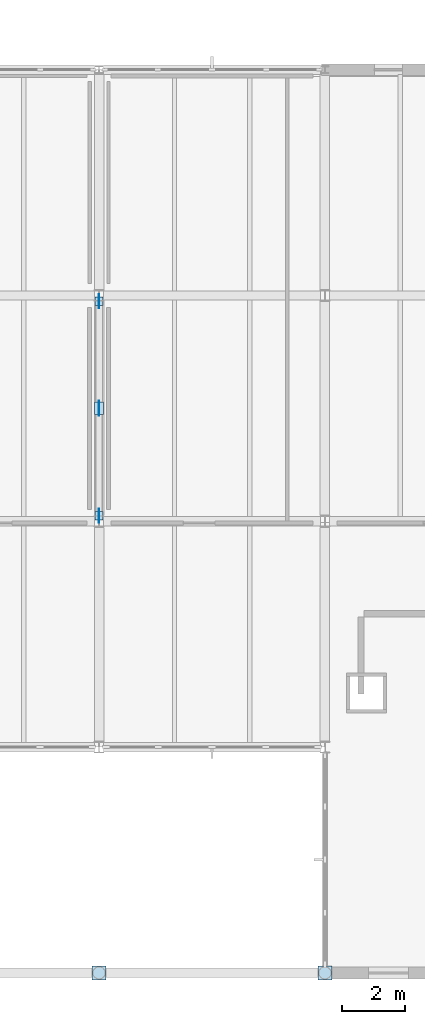
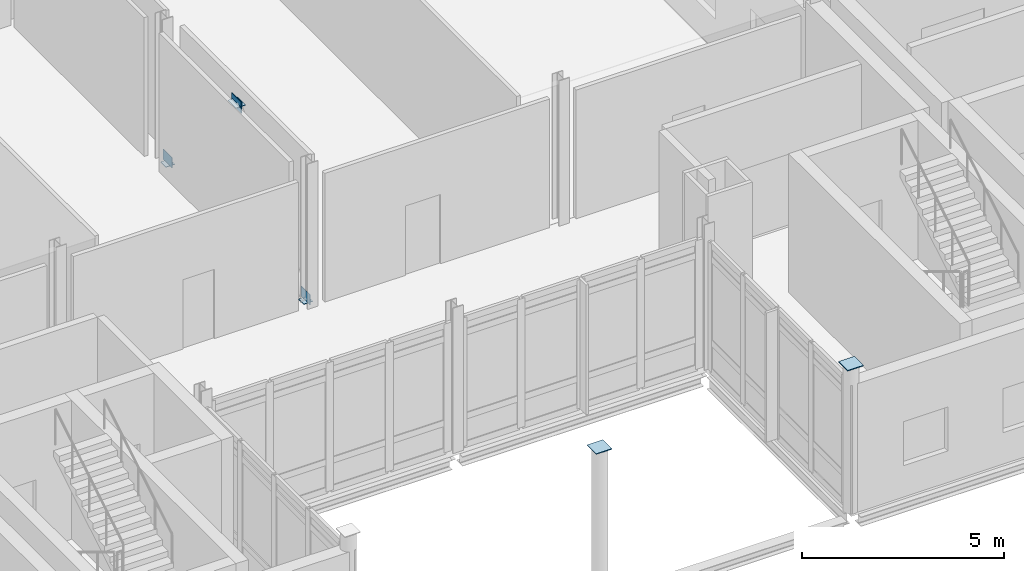
# One storey, part 42 of 72: 8 plates.
"""IFC4 building model written with IfcOpenShell, lengths in metres."""

from ifc_helpers import new_model, si_unit, direction, frame, origin, origin_2d, place, context, subcontext, project, spatial, rectangle, extrude, material, layer, layer_set, type_object, element, save


model = new_model("IFC4")

# Units and contexts
model_context = context("Model", 3, precision=1e-05, world=origin(), true_north=direction((0.0, 1.0)))
body_context = subcontext(model_context, "Body", "Model", "MODEL_VIEW")
ifc_project = project(units=[si_unit("LENGTHUNIT", "METRE"), si_unit("AREAUNIT", "SQUARE_METRE"), si_unit("VOLUMEUNIT", "CUBIC_METRE"), si_unit("PLANEANGLEUNIT", "RADIAN"), si_unit("MASSUNIT", "GRAM", prefix="KILO")], contexts=[model_context])

# Site, building, storey
site_placement = place(None, origin())
site = spatial("IfcSite", under=ifc_project, at=site_placement, CompositionType="ELEMENT")
building_placement = place(site_placement, origin())
building = spatial("IfcBuilding", under=site, at=building_placement, Name="Zarrinpeak Specialist Clinic", CompositionType="ELEMENT")
storey_placement = place(building_placement, frame((0.0, 0.0, 9.60009765625)))
storey = spatial("IfcBuildingStorey", under=building, at=storey_placement, Name="L02", CompositionType="ELEMENT", Elevation=9.60009765625)

# Plates
ifc_material = material(Name="Steel S355", Category="steel")
ifc_layer_1 = layer(ifc_material, 0.01611328125)
ifc_layer_set_1 = layer_set([ifc_layer_1], Name="Steel S355")
plate_type_1 = type_object("IfcPlateType", Name="PL-CAP219", PredefinedType="SHEET", material=ifc_layer_set_1)
for number, where, z_axis, x_axis, name in (
    (1, (43.199951171875, 14.580078125, 0.000732421875), (0.0, 0.0, 1.0), (1.0, 0.0, 0.0), "V2 L02 Hollow Brace Foot Cap Plate A"),
    (2, (43.199951171875, 21.419921875, 0.000732421875), (0.0, 0.0, 1.0), (1.0, 0.0, 0.0), "V2 L02 Hollow Brace Foot Cap Plate B"),
):
    element("IfcPlate", number, at=place(storey_placement, frame(where, z_axis=z_axis, x_axis=x_axis)), inside=storey, type_object=plate_type_1, Name=name, PredefinedType="SHEET", context=body_context, shape_type="SweptSolid", body=[
        extrude(rectangle(XDim=0.260009765625, YDim=0.260009765625, at=origin_2d()), origin(), (0.0, 0.0, 1.0), 0.01611328125),
    ])
ifc_layer_2 = layer(ifc_material, 0.02197265625)
ifc_layer_set_2 = layer_set([ifc_layer_2], Name="Steel S355")
plate_type_2 = type_object("IfcPlateType", Name="PL-CAP406", PredefinedType="SHEET", material=ifc_layer_set_2)
for number, where, z_axis, x_axis, name in (
    (3, (43.199951171875, 0.0, 4.39599609375), (0.0, 0.0, 1.0), (1.0, 0.0, 0.0), "L02 Hollow Column Top Cap Plate CCAP-T-095"),
    (4, (50.39990234375, 0.0, 4.39599609375), (0.0, 0.0, 1.0), (1.0, 0.0, 0.0), "L02 Hollow Column Top Cap Plate CCAP-T-096"),
):
    element("IfcPlate", number, at=place(storey_placement, frame(where, z_axis=z_axis, x_axis=x_axis)), inside=storey, type_object=plate_type_2, Name=name, PredefinedType="SHEET", context=body_context, shape_type="SweptSolid", body=[
        extrude(rectangle(XDim=0.449951171875, YDim=0.449951171875, at=origin_2d()), origin(), (0.0, 0.0, 1.0), 0.02197265625),
    ])
ifc_layer_3 = layer(ifc_material, 0.02001953125)
ifc_layer_set_3 = layer_set([ifc_layer_3], Name="Steel S355")
plate_type_3 = type_object("IfcPlateType", Name="PL-GN01", PredefinedType="SHEET", material=ifc_layer_set_3)
plate_1_placement = place(storey_placement, frame((43.199951171875, 18.0, 3.73974609375), z_axis=(0.0, 0.0, 1.0), x_axis=(1.0, 0.0, 0.0)))
element("IfcPlate", 5, at=plate_1_placement, inside=storey, type_object=plate_type_3, Name="V2 L02 Chevron Gusset Node Plate GN-V2-L02", PredefinedType="SHEET", context=body_context, shape_type="SweptSolid", body=[
    extrude(rectangle(XDim=0.02001953125, YDim=0.47998046875, at=origin_2d()), origin(), (0.0, 0.0, 1.0), 0.340087890625),
])
ifc_layer_4 = layer(ifc_material, 0.01611328125)
ifc_layer_set_4 = layer_set([ifc_layer_4], Name="Steel S355")
plate_type_4 = type_object("IfcPlateType", Name="PL-GN02", PredefinedType="SHEET", material=ifc_layer_set_4)
plate_2_placement = place(storey_placement, frame((43.199951171875, 18.0, 3.907958984375), z_axis=(0.0, 0.0, 1.0), x_axis=(1.0, 0.0, 0.0)))
element("IfcPlate", 6, at=plate_2_placement, inside=storey, type_object=plate_type_4, Name="V2 L02 Chevron Apex Seal Plate GNCAP-V2-L02", PredefinedType="SHEET", context=body_context, shape_type="SweptSolid", body=[
    extrude(rectangle(XDim=0.280029296875, YDim=0.39990234375, at=origin_2d()), origin(), (0.0, 0.0, 1.0), 0.01611328125),
])
ifc_layer_5 = layer(ifc_material, 0.01806640625)
ifc_layer_set_5 = layer_set([ifc_layer_5], Name="Steel S355")
plate_type_5 = type_object("IfcPlateType", Name="PL-GN03", PredefinedType="SHEET", material=ifc_layer_set_5)
for number, where, z_axis, x_axis, name in (
    (7, (43.199951171875, 14.580078125, 0.0048828125), (0.0, 0.0, 1.0), (1.0, 0.0, 0.0), "V2 L02 Brace Foot Gusset Plate GNF-V2-L02-A"),
    (8, (43.199951171875, 21.419921875, 0.0048828125), (0.0, 0.0, 1.0), (1.0, 0.0, 0.0), "V2 L02 Brace Foot Gusset Plate GNF-V2-L02-B"),
):
    element("IfcPlate", number, at=place(storey_placement, frame(where, z_axis=z_axis, x_axis=x_axis)), inside=storey, type_object=plate_type_5, Name=name, PredefinedType="SHEET", context=body_context, shape_type="SweptSolid", body=[
        extrude(rectangle(XDim=0.01806640625, YDim=0.43994140625, at=origin_2d()), origin(), (0.0, 0.0, 1.0), 0.31005859375),
    ])

save(model, "model.ifc")
